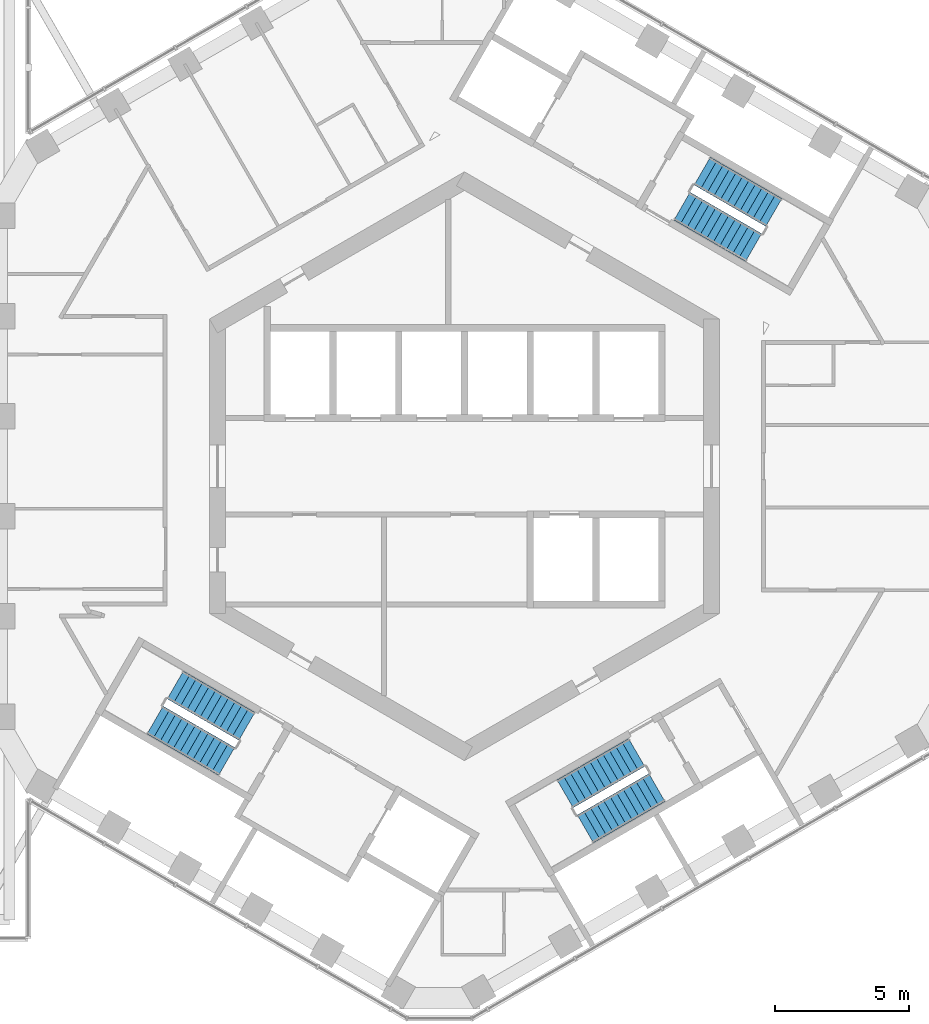
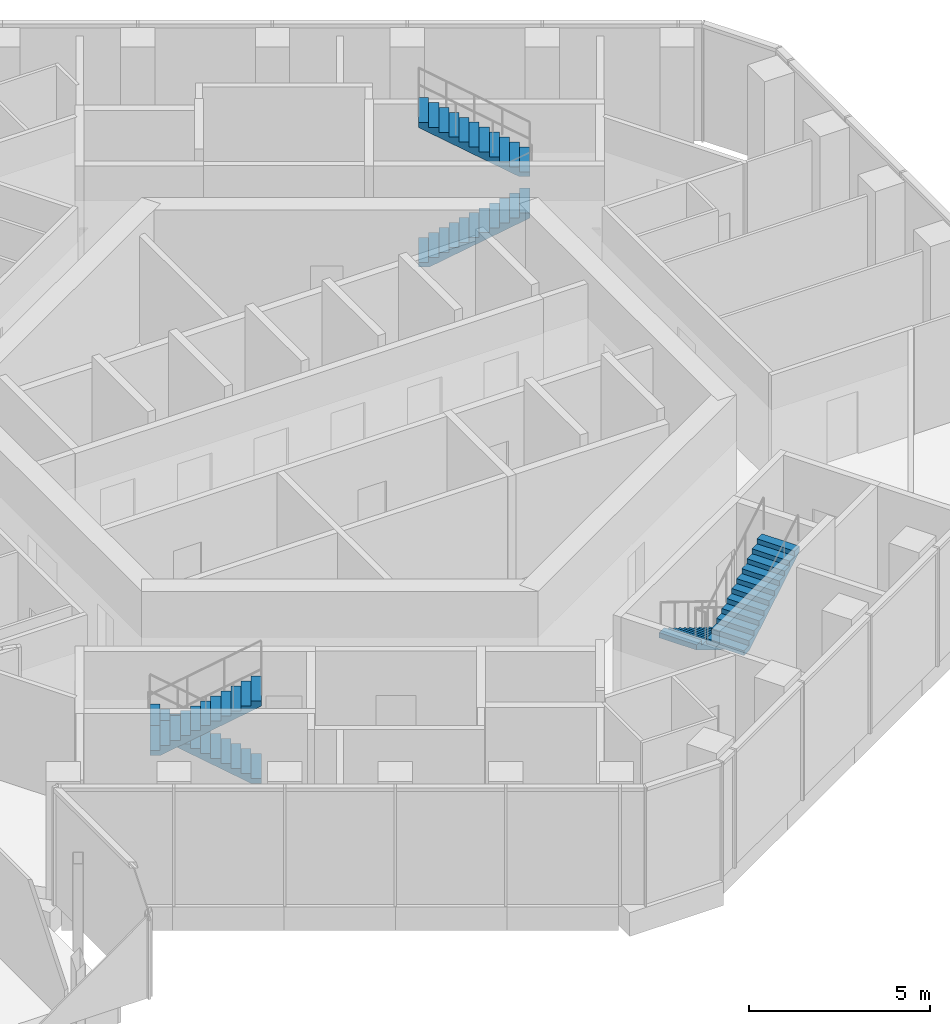
# One storey, part 19 of 21: 6 stair flights, 3 elements without a shape of their own.
"""IFC4 building model written with IfcOpenShell, lengths in metres."""

from ifc_helpers import new_model, si_unit, direction, frame, origin, place, context, subcontext, project, spatial, triangles, material, type_object, element, aggregate, save


model = new_model("IFC4")

# Units and contexts
model_context = context("Model", 3, precision=1e-05, world=origin(), true_north=direction((0.0, 1.0)))
body_context = subcontext(model_context, "Body", "Model", "MODEL_VIEW")
ifc_project = project(units=[si_unit("LENGTHUNIT", "METRE"), si_unit("AREAUNIT", "SQUARE_METRE"), si_unit("VOLUMEUNIT", "CUBIC_METRE"), si_unit("PLANEANGLEUNIT", "RADIAN"), si_unit("MASSUNIT", "GRAM", prefix="KILO")], contexts=[model_context])

# Site, building, storey
site_placement = place(None, origin())
site = spatial("IfcSite", under=ifc_project, at=site_placement, CompositionType="ELEMENT")
building_placement = place(site_placement, origin())
building = spatial("IfcBuilding", under=site, at=building_placement, Name="Ayvan Gate Tower", CompositionType="ELEMENT")
storey_placement = place(building_placement, frame((0.0, 0.0, 206.10009765625)))
storey = spatial("IfcBuildingStorey", under=building, at=storey_placement, Name="L55", CompositionType="ELEMENT", Elevation=206.10009765625)

# Stair, stair flights
ifc_material = material(Name="Concrete C40/50", Category="concrete")
stair_type = type_object("IfcStairType", Name="ST-EXIT", PredefinedType="HALF_TURN_STAIR", material=ifc_material)
stair_1_placement = place(storey_placement, origin())
stair_1 = element("IfcStair", 1, at=stair_1_placement, inside=storey, type_object=stair_type, Name="L55 Exit Stair S1", PredefinedType="HALF_TURN_STAIR")
stair_flight_type = type_object("IfcStairFlightType", Name="SFL-EXIT", PredefinedType="STRAIGHT", material=ifc_material)
stair_flight_1_placement = place(storey_placement, frame((8.106201171875, 9.690185546875, 0.0), z_axis=(0.0, 0.0, 1.0), x_axis=(0.866025403784, -0.5, 0.0)))
stair_flight_1 = element("IfcStairFlight", 2, at=stair_flight_1_placement, type_object=stair_flight_type, Name="STS1 flight 1", NumberOfRisers=12, NumberOfTreads=11, PredefinedType="STRAIGHT", RiserHeight=0.166666667, TreadLength=0.28, context=body_context, shape_type="Tessellation", body=[
    triangles([(0.293073, -0.599976, 0.0), (3.0805, -0.599976, 1.659182), (3.0805, -0.599976, 1.833333), (2.8, -0.599976, 1.833333), (2.8, -0.599976, 1.666667), (2.52, -0.599976, 1.666667), (2.52, -0.599976, 1.5), (2.24, -0.599976, 1.5), (2.24, -0.599976, 1.333333), (1.96, -0.599976, 1.333333), (1.96, -0.599976, 1.166667), (1.68, -0.599976, 1.166667), (1.68, -0.599976, 1.0), (1.4, -0.599976, 1.0), (1.4, -0.599976, 0.833333), (1.12, -0.599976, 0.833333), (1.12, -0.599976, 0.666667), (0.84, -0.599976, 0.666667), (0.84, -0.599976, 0.5), (0.56, -0.599976, 0.5), (0.56, -0.599976, 0.333333), (0.28, -0.599976, 0.333333), (0.28, -0.599976, 0.166667), (-0.0005, -0.599976, 0.166667), (-0.0005, -0.599976, 0.0), (0.293073, 0.0, 0.0), (3.0805, 0.0, 1.659182), (3.0805, 0.0, 1.833333), (2.8, 0.0, 1.833333), (2.8, 0.0, 1.666667), (2.52, 0.0, 1.666667), (2.52, 0.0, 1.5), (2.24, 0.0, 1.5), (2.24, 0.0, 1.333333), (1.96, 0.0, 1.333333), (1.96, 0.0, 1.166667), (1.68, 0.0, 1.166667), (1.68, 0.0, 1.0), (1.4, 0.0, 1.0), (1.4, 0.0, 0.833333), (1.12, 0.0, 0.833333), (1.12, 0.0, 0.666667), (0.84, 0.0, 0.666667), (0.84, 0.0, 0.5), (0.56, 0.0, 0.5), (0.56, 0.0, 0.333333), (0.28, 0.0, 0.333333), (0.28, 0.0, 0.166667), (-0.0005, 0.0, 0.166667), (-0.0005, 0.0, 0.0), (0.293073, 0.599976, 0.0), (3.0805, 0.599976, 1.659182), (3.0805, 0.599976, 1.833333), (2.8, 0.599976, 1.833333), (2.8, 0.599976, 1.666667), (2.52, 0.599976, 1.666667), (2.52, 0.599976, 1.5), (2.24, 0.599976, 1.5), (2.24, 0.599976, 1.333333), (1.96, 0.599976, 1.333333), (1.96, 0.599976, 1.166667), (1.68, 0.599976, 1.166667), (1.68, 0.599976, 1.0), (1.4, 0.599976, 1.0), (1.4, 0.599976, 0.833333), (1.12, 0.599976, 0.833333), (1.12, 0.599976, 0.666667), (0.84, 0.599976, 0.666667), (0.84, 0.599976, 0.5), (0.56, 0.599976, 0.5), (0.56, 0.599976, 0.333333), (0.28, 0.599976, 0.333333), (0.28, 0.599976, 0.166667), (-0.0005, 0.599976, 0.166667), (-0.0005, 0.599976, 0.0)], [[25, 1, 2], [75, 52, 51], [2, 3, 4], [52, 54, 53], [2, 4, 5], [52, 55, 54], [2, 5, 6], [52, 56, 55], [2, 6, 7], [52, 57, 56], [7, 8, 9], [57, 59, 58], [2, 7, 9], [52, 59, 57], [9, 10, 11], [59, 61, 60], [2, 9, 11], [52, 61, 59], [11, 12, 13], [61, 63, 62], [2, 11, 13], [52, 63, 61], [13, 14, 15], [63, 65, 64], [2, 13, 15], [52, 65, 63], [15, 16, 17], [65, 67, 66], [2, 15, 17], [52, 67, 65], [17, 18, 19], [67, 69, 68], [2, 17, 19], [52, 69, 67], [19, 20, 21], [69, 71, 70], [2, 19, 21], [52, 71, 69], [21, 22, 23], [71, 73, 72], [2, 21, 23], [52, 73, 71], [25, 2, 23], [75, 73, 52], [23, 24, 25], [73, 75, 74], [1, 26, 27], [1, 27, 2], [51, 27, 26], [51, 52, 27], [2, 27, 28], [2, 28, 3], [52, 28, 27], [52, 53, 28], [3, 28, 29], [3, 29, 4], [53, 29, 28], [53, 54, 29], [4, 29, 30], [4, 30, 5], [54, 30, 29], [54, 55, 30], [5, 30, 31], [5, 31, 6], [55, 31, 30], [55, 56, 31], [6, 31, 32], [6, 32, 7], [56, 32, 31], [56, 57, 32], [7, 32, 33], [7, 33, 8], [57, 33, 32], [57, 58, 33], [8, 33, 34], [8, 34, 9], [58, 34, 33], [58, 59, 34], [9, 34, 35], [9, 35, 10], [59, 35, 34], [59, 60, 35], [10, 35, 36], [10, 36, 11], [60, 36, 35], [60, 61, 36], [11, 36, 37], [11, 37, 12], [61, 37, 36], [61, 62, 37], [12, 37, 38], [12, 38, 13], [62, 38, 37], [62, 63, 38], [13, 38, 39], [13, 39, 14], [63, 39, 38], [63, 64, 39], [14, 39, 40], [14, 40, 15], [64, 40, 39], [64, 65, 40], [15, 40, 41], [15, 41, 16], [65, 41, 40], [65, 66, 41], [16, 41, 42], [16, 42, 17], [66, 42, 41], [66, 67, 42], [17, 42, 43], [17, 43, 18], [67, 43, 42], [67, 68, 43], [18, 43, 44], [18, 44, 19], [68, 44, 43], [68, 69, 44], [19, 44, 45], [19, 45, 20], [69, 45, 44], [69, 70, 45], [20, 45, 46], [20, 46, 21], [70, 46, 45], [70, 71, 46], [21, 46, 47], [21, 47, 22], [71, 47, 46], [71, 72, 47], [22, 47, 48], [22, 48, 23], [72, 48, 47], [72, 73, 48], [23, 48, 49], [23, 49, 24], [73, 49, 48], [73, 74, 49], [24, 49, 50], [24, 50, 25], [74, 50, 49], [74, 75, 50], [25, 50, 26], [25, 26, 1], [75, 26, 50], [75, 51, 26]], closed=True),
])
stair_flight_2_placement = place(storey_placement, frame((11.528564453125, 9.457763671875, 2.0), z_axis=(0.0, 0.0, 1.0), x_axis=(-0.866025403784, 0.5, 0.0)))
stair_flight_2 = element("IfcStairFlight", 3, at=stair_flight_2_placement, type_object=stair_flight_type, Name="STS1 flight 2", NumberOfRisers=12, NumberOfTreads=11, PredefinedType="STRAIGHT", RiserHeight=0.166666667, TreadLength=0.28, context=body_context, shape_type="Tessellation", body=[
    triangles([(0.293073, -0.599976, 0.0), (3.0805, -0.599976, 1.659182), (3.0805, -0.599976, 1.833333), (2.8, -0.599976, 1.833333), (2.8, -0.599976, 1.666667), (2.52, -0.599976, 1.666667), (2.52, -0.599976, 1.5), (2.24, -0.599976, 1.5), (2.24, -0.599976, 1.333333), (1.96, -0.599976, 1.333333), (1.96, -0.599976, 1.166667), (1.68, -0.599976, 1.166667), (1.68, -0.599976, 1.0), (1.4, -0.599976, 1.0), (1.4, -0.599976, 0.833333), (1.12, -0.599976, 0.833333), (1.12, -0.599976, 0.666667), (0.84, -0.599976, 0.666667), (0.84, -0.599976, 0.5), (0.56, -0.599976, 0.5), (0.56, -0.599976, 0.333333), (0.28, -0.599976, 0.333333), (0.28, -0.599976, 0.166667), (-0.0005, -0.599976, 0.166667), (-0.0005, -0.599976, 0.0), (0.293073, 0.0, 0.0), (3.0805, 0.0, 1.659182), (3.0805, 0.0, 1.833333), (2.8, 0.0, 1.833333), (2.8, 0.0, 1.666667), (2.52, 0.0, 1.666667), (2.52, 0.0, 1.5), (2.24, 0.0, 1.5), (2.24, 0.0, 1.333333), (1.96, 0.0, 1.333333), (1.96, 0.0, 1.166667), (1.68, 0.0, 1.166667), (1.68, 0.0, 1.0), (1.4, 0.0, 1.0), (1.4, 0.0, 0.833333), (1.12, 0.0, 0.833333), (1.12, 0.0, 0.666667), (0.84, 0.0, 0.666667), (0.84, 0.0, 0.5), (0.56, 0.0, 0.5), (0.56, 0.0, 0.333333), (0.28, 0.0, 0.333333), (0.28, 0.0, 0.166667), (-0.0005, 0.0, 0.166667), (-0.0005, 0.0, 0.0), (0.293073, 0.599976, 0.0), (3.0805, 0.599976, 1.659182), (3.0805, 0.599976, 1.833333), (2.8, 0.599976, 1.833333), (2.8, 0.599976, 1.666667), (2.52, 0.599976, 1.666667), (2.52, 0.599976, 1.5), (2.24, 0.599976, 1.5), (2.24, 0.599976, 1.333333), (1.96, 0.599976, 1.333333), (1.96, 0.599976, 1.166667), (1.68, 0.599976, 1.166667), (1.68, 0.599976, 1.0), (1.4, 0.599976, 1.0), (1.4, 0.599976, 0.833333), (1.12, 0.599976, 0.833333), (1.12, 0.599976, 0.666667), (0.84, 0.599976, 0.666667), (0.84, 0.599976, 0.5), (0.56, 0.599976, 0.5), (0.56, 0.599976, 0.333333), (0.28, 0.599976, 0.333333), (0.28, 0.599976, 0.166667), (-0.0005, 0.599976, 0.166667), (-0.0005, 0.599976, 0.0)], [[25, 1, 2], [75, 52, 51], [2, 3, 4], [52, 54, 53], [2, 4, 5], [52, 55, 54], [2, 5, 6], [52, 56, 55], [2, 6, 7], [52, 57, 56], [7, 8, 9], [57, 59, 58], [2, 7, 9], [52, 59, 57], [9, 10, 11], [59, 61, 60], [2, 9, 11], [52, 61, 59], [11, 12, 13], [61, 63, 62], [2, 11, 13], [52, 63, 61], [13, 14, 15], [63, 65, 64], [2, 13, 15], [52, 65, 63], [15, 16, 17], [65, 67, 66], [2, 15, 17], [52, 67, 65], [17, 18, 19], [67, 69, 68], [2, 17, 19], [52, 69, 67], [19, 20, 21], [69, 71, 70], [2, 19, 21], [52, 71, 69], [21, 22, 23], [71, 73, 72], [2, 21, 23], [52, 73, 71], [25, 2, 23], [75, 73, 52], [23, 24, 25], [73, 75, 74], [1, 26, 27], [1, 27, 2], [51, 27, 26], [51, 52, 27], [2, 27, 28], [2, 28, 3], [52, 28, 27], [52, 53, 28], [3, 28, 29], [3, 29, 4], [53, 29, 28], [53, 54, 29], [4, 29, 30], [4, 30, 5], [54, 30, 29], [54, 55, 30], [5, 30, 31], [5, 31, 6], [55, 31, 30], [55, 56, 31], [6, 31, 32], [6, 32, 7], [56, 32, 31], [56, 57, 32], [7, 32, 33], [7, 33, 8], [57, 33, 32], [57, 58, 33], [8, 33, 34], [8, 34, 9], [58, 34, 33], [58, 59, 34], [9, 34, 35], [9, 35, 10], [59, 35, 34], [59, 60, 35], [10, 35, 36], [10, 36, 11], [60, 36, 35], [60, 61, 36], [11, 36, 37], [11, 37, 12], [61, 37, 36], [61, 62, 37], [12, 37, 38], [12, 38, 13], [62, 38, 37], [62, 63, 38], [13, 38, 39], [13, 39, 14], [63, 39, 38], [63, 64, 39], [14, 39, 40], [14, 40, 15], [64, 40, 39], [64, 65, 40], [15, 40, 41], [15, 41, 16], [65, 41, 40], [65, 66, 41], [16, 41, 42], [16, 42, 17], [66, 42, 41], [66, 67, 42], [17, 42, 43], [17, 43, 18], [67, 43, 42], [67, 68, 43], [18, 43, 44], [18, 44, 19], [68, 44, 43], [68, 69, 44], [19, 44, 45], [19, 45, 20], [69, 45, 44], [69, 70, 45], [20, 45, 46], [20, 46, 21], [70, 46, 45], [70, 71, 46], [21, 46, 47], [21, 47, 22], [71, 47, 46], [71, 72, 47], [22, 47, 48], [22, 48, 23], [72, 48, 47], [72, 73, 48], [23, 48, 49], [23, 49, 24], [73, 49, 48], [73, 74, 49], [24, 49, 50], [24, 50, 25], [74, 50, 49], [74, 75, 50], [25, 50, 26], [25, 26, 1], [75, 26, 50], [75, 51, 26]], closed=True),
])
aggregate(stair_1, [stair_flight_1, stair_flight_2])

stair_2_placement = place(storey_placement, origin())
stair_2 = element("IfcStair", 4, at=stair_2_placement, inside=storey, type_object=stair_type, Name="L55 Exit Stair S2", PredefinedType="HALF_TURN_STAIR")
stair_flight_3_placement = place(storey_placement, frame((-8.106201171875, -9.690185546875, 0.0), z_axis=(0.0, 0.0, 1.0), x_axis=(-0.866025403784, 0.5, 0.0)))
stair_flight_3 = element("IfcStairFlight", 5, at=stair_flight_3_placement, type_object=stair_flight_type, Name="STS2 flight 1", NumberOfRisers=12, NumberOfTreads=11, PredefinedType="STRAIGHT", RiserHeight=0.166666667, TreadLength=0.28, context=body_context, shape_type="Tessellation", body=[
    triangles([(0.293073, -0.599976, 0.0), (3.0805, -0.599976, 1.659182), (3.0805, -0.599976, 1.833333), (2.8, -0.599976, 1.833333), (2.8, -0.599976, 1.666667), (2.52, -0.599976, 1.666667), (2.52, -0.599976, 1.5), (2.24, -0.599976, 1.5), (2.24, -0.599976, 1.333333), (1.96, -0.599976, 1.333333), (1.96, -0.599976, 1.166667), (1.68, -0.599976, 1.166667), (1.68, -0.599976, 1.0), (1.4, -0.599976, 1.0), (1.4, -0.599976, 0.833333), (1.12, -0.599976, 0.833333), (1.12, -0.599976, 0.666667), (0.84, -0.599976, 0.666667), (0.84, -0.599976, 0.5), (0.56, -0.599976, 0.5), (0.56, -0.599976, 0.333333), (0.28, -0.599976, 0.333333), (0.28, -0.599976, 0.166667), (-0.0005, -0.599976, 0.166667), (-0.0005, -0.599976, 0.0), (0.293073, 0.0, 0.0), (3.0805, 0.0, 1.659182), (3.0805, 0.0, 1.833333), (2.8, 0.0, 1.833333), (2.8, 0.0, 1.666667), (2.52, 0.0, 1.666667), (2.52, 0.0, 1.5), (2.24, 0.0, 1.5), (2.24, 0.0, 1.333333), (1.96, 0.0, 1.333333), (1.96, 0.0, 1.166667), (1.68, 0.0, 1.166667), (1.68, 0.0, 1.0), (1.4, 0.0, 1.0), (1.4, 0.0, 0.833333), (1.12, 0.0, 0.833333), (1.12, 0.0, 0.666667), (0.84, 0.0, 0.666667), (0.84, 0.0, 0.5), (0.56, 0.0, 0.5), (0.56, 0.0, 0.333333), (0.28, 0.0, 0.333333), (0.28, 0.0, 0.166667), (-0.0005, 0.0, 0.166667), (-0.0005, 0.0, 0.0), (0.293073, 0.599976, 0.0), (3.0805, 0.599976, 1.659182), (3.0805, 0.599976, 1.833333), (2.8, 0.599976, 1.833333), (2.8, 0.599976, 1.666667), (2.52, 0.599976, 1.666667), (2.52, 0.599976, 1.5), (2.24, 0.599976, 1.5), (2.24, 0.599976, 1.333333), (1.96, 0.599976, 1.333333), (1.96, 0.599976, 1.166667), (1.68, 0.599976, 1.166667), (1.68, 0.599976, 1.0), (1.4, 0.599976, 1.0), (1.4, 0.599976, 0.833333), (1.12, 0.599976, 0.833333), (1.12, 0.599976, 0.666667), (0.84, 0.599976, 0.666667), (0.84, 0.599976, 0.5), (0.56, 0.599976, 0.5), (0.56, 0.599976, 0.333333), (0.28, 0.599976, 0.333333), (0.28, 0.599976, 0.166667), (-0.0005, 0.599976, 0.166667), (-0.0005, 0.599976, 0.0)], [[25, 1, 2], [75, 52, 51], [2, 3, 4], [52, 54, 53], [2, 4, 5], [52, 55, 54], [2, 5, 6], [52, 56, 55], [2, 6, 7], [52, 57, 56], [7, 8, 9], [57, 59, 58], [2, 7, 9], [52, 59, 57], [9, 10, 11], [59, 61, 60], [2, 9, 11], [52, 61, 59], [11, 12, 13], [61, 63, 62], [2, 11, 13], [52, 63, 61], [13, 14, 15], [63, 65, 64], [2, 13, 15], [52, 65, 63], [15, 16, 17], [65, 67, 66], [2, 15, 17], [52, 67, 65], [17, 18, 19], [67, 69, 68], [2, 17, 19], [52, 69, 67], [19, 20, 21], [69, 71, 70], [2, 19, 21], [52, 71, 69], [21, 22, 23], [71, 73, 72], [2, 21, 23], [52, 73, 71], [25, 2, 23], [75, 73, 52], [23, 24, 25], [73, 75, 74], [1, 26, 27], [1, 27, 2], [51, 27, 26], [51, 52, 27], [2, 27, 28], [2, 28, 3], [52, 28, 27], [52, 53, 28], [3, 28, 29], [3, 29, 4], [53, 29, 28], [53, 54, 29], [4, 29, 30], [4, 30, 5], [54, 30, 29], [54, 55, 30], [5, 30, 31], [5, 31, 6], [55, 31, 30], [55, 56, 31], [6, 31, 32], [6, 32, 7], [56, 32, 31], [56, 57, 32], [7, 32, 33], [7, 33, 8], [57, 33, 32], [57, 58, 33], [8, 33, 34], [8, 34, 9], [58, 34, 33], [58, 59, 34], [9, 34, 35], [9, 35, 10], [59, 35, 34], [59, 60, 35], [10, 35, 36], [10, 36, 11], [60, 36, 35], [60, 61, 36], [11, 36, 37], [11, 37, 12], [61, 37, 36], [61, 62, 37], [12, 37, 38], [12, 38, 13], [62, 38, 37], [62, 63, 38], [13, 38, 39], [13, 39, 14], [63, 39, 38], [63, 64, 39], [14, 39, 40], [14, 40, 15], [64, 40, 39], [64, 65, 40], [15, 40, 41], [15, 41, 16], [65, 41, 40], [65, 66, 41], [16, 41, 42], [16, 42, 17], [66, 42, 41], [66, 67, 42], [17, 42, 43], [17, 43, 18], [67, 43, 42], [67, 68, 43], [18, 43, 44], [18, 44, 19], [68, 44, 43], [68, 69, 44], [19, 44, 45], [19, 45, 20], [69, 45, 44], [69, 70, 45], [20, 45, 46], [20, 46, 21], [70, 46, 45], [70, 71, 46], [21, 46, 47], [21, 47, 22], [71, 47, 46], [71, 72, 47], [22, 47, 48], [22, 48, 23], [72, 48, 47], [72, 73, 48], [23, 48, 49], [23, 49, 24], [73, 49, 48], [73, 74, 49], [24, 49, 50], [24, 50, 25], [74, 50, 49], [74, 75, 50], [25, 50, 26], [25, 26, 1], [75, 26, 50], [75, 51, 26]], closed=True),
])
stair_flight_4_placement = place(storey_placement, frame((-11.528564453125, -9.457763671875, 2.0), z_axis=(0.0, 0.0, 1.0), x_axis=(0.866025403784, -0.5, 0.0)))
stair_flight_4 = element("IfcStairFlight", 6, at=stair_flight_4_placement, type_object=stair_flight_type, Name="STS2 flight 2", NumberOfRisers=12, NumberOfTreads=11, PredefinedType="STRAIGHT", RiserHeight=0.166666667, TreadLength=0.28, context=body_context, shape_type="Tessellation", body=[
    triangles([(0.293073, -0.599976, 0.0), (3.0805, -0.599976, 1.659182), (3.0805, -0.599976, 1.833333), (2.8, -0.599976, 1.833333), (2.8, -0.599976, 1.666667), (2.52, -0.599976, 1.666667), (2.52, -0.599976, 1.5), (2.24, -0.599976, 1.5), (2.24, -0.599976, 1.333333), (1.96, -0.599976, 1.333333), (1.96, -0.599976, 1.166667), (1.68, -0.599976, 1.166667), (1.68, -0.599976, 1.0), (1.4, -0.599976, 1.0), (1.4, -0.599976, 0.833333), (1.12, -0.599976, 0.833333), (1.12, -0.599976, 0.666667), (0.84, -0.599976, 0.666667), (0.84, -0.599976, 0.5), (0.56, -0.599976, 0.5), (0.56, -0.599976, 0.333333), (0.28, -0.599976, 0.333333), (0.28, -0.599976, 0.166667), (-0.0005, -0.599976, 0.166667), (-0.0005, -0.599976, 0.0), (0.293073, 0.0, 0.0), (3.0805, 0.0, 1.659182), (3.0805, 0.0, 1.833333), (2.8, 0.0, 1.833333), (2.8, 0.0, 1.666667), (2.52, 0.0, 1.666667), (2.52, 0.0, 1.5), (2.24, 0.0, 1.5), (2.24, 0.0, 1.333333), (1.96, 0.0, 1.333333), (1.96, 0.0, 1.166667), (1.68, 0.0, 1.166667), (1.68, 0.0, 1.0), (1.4, 0.0, 1.0), (1.4, 0.0, 0.833333), (1.12, 0.0, 0.833333), (1.12, 0.0, 0.666667), (0.84, 0.0, 0.666667), (0.84, 0.0, 0.5), (0.56, 0.0, 0.5), (0.56, 0.0, 0.333333), (0.28, 0.0, 0.333333), (0.28, 0.0, 0.166667), (-0.0005, 0.0, 0.166667), (-0.0005, 0.0, 0.0), (0.293073, 0.599976, 0.0), (3.0805, 0.599976, 1.659182), (3.0805, 0.599976, 1.833333), (2.8, 0.599976, 1.833333), (2.8, 0.599976, 1.666667), (2.52, 0.599976, 1.666667), (2.52, 0.599976, 1.5), (2.24, 0.599976, 1.5), (2.24, 0.599976, 1.333333), (1.96, 0.599976, 1.333333), (1.96, 0.599976, 1.166667), (1.68, 0.599976, 1.166667), (1.68, 0.599976, 1.0), (1.4, 0.599976, 1.0), (1.4, 0.599976, 0.833333), (1.12, 0.599976, 0.833333), (1.12, 0.599976, 0.666667), (0.84, 0.599976, 0.666667), (0.84, 0.599976, 0.5), (0.56, 0.599976, 0.5), (0.56, 0.599976, 0.333333), (0.28, 0.599976, 0.333333), (0.28, 0.599976, 0.166667), (-0.0005, 0.599976, 0.166667), (-0.0005, 0.599976, 0.0)], [[25, 1, 2], [75, 52, 51], [2, 3, 4], [52, 54, 53], [2, 4, 5], [52, 55, 54], [2, 5, 6], [52, 56, 55], [2, 6, 7], [52, 57, 56], [7, 8, 9], [57, 59, 58], [2, 7, 9], [52, 59, 57], [9, 10, 11], [59, 61, 60], [2, 9, 11], [52, 61, 59], [11, 12, 13], [61, 63, 62], [2, 11, 13], [52, 63, 61], [13, 14, 15], [63, 65, 64], [2, 13, 15], [52, 65, 63], [15, 16, 17], [65, 67, 66], [2, 15, 17], [52, 67, 65], [17, 18, 19], [67, 69, 68], [2, 17, 19], [52, 69, 67], [19, 20, 21], [69, 71, 70], [2, 19, 21], [52, 71, 69], [21, 22, 23], [71, 73, 72], [2, 21, 23], [52, 73, 71], [25, 2, 23], [75, 73, 52], [23, 24, 25], [73, 75, 74], [1, 26, 27], [1, 27, 2], [51, 27, 26], [51, 52, 27], [2, 27, 28], [2, 28, 3], [52, 28, 27], [52, 53, 28], [3, 28, 29], [3, 29, 4], [53, 29, 28], [53, 54, 29], [4, 29, 30], [4, 30, 5], [54, 30, 29], [54, 55, 30], [5, 30, 31], [5, 31, 6], [55, 31, 30], [55, 56, 31], [6, 31, 32], [6, 32, 7], [56, 32, 31], [56, 57, 32], [7, 32, 33], [7, 33, 8], [57, 33, 32], [57, 58, 33], [8, 33, 34], [8, 34, 9], [58, 34, 33], [58, 59, 34], [9, 34, 35], [9, 35, 10], [59, 35, 34], [59, 60, 35], [10, 35, 36], [10, 36, 11], [60, 36, 35], [60, 61, 36], [11, 36, 37], [11, 37, 12], [61, 37, 36], [61, 62, 37], [12, 37, 38], [12, 38, 13], [62, 38, 37], [62, 63, 38], [13, 38, 39], [13, 39, 14], [63, 39, 38], [63, 64, 39], [14, 39, 40], [14, 40, 15], [64, 40, 39], [64, 65, 40], [15, 40, 41], [15, 41, 16], [65, 41, 40], [65, 66, 41], [16, 41, 42], [16, 42, 17], [66, 42, 41], [66, 67, 42], [17, 42, 43], [17, 43, 18], [67, 43, 42], [67, 68, 43], [18, 43, 44], [18, 44, 19], [68, 44, 43], [68, 69, 44], [19, 44, 45], [19, 45, 20], [69, 45, 44], [69, 70, 45], [20, 45, 46], [20, 46, 21], [70, 46, 45], [70, 71, 46], [21, 46, 47], [21, 47, 22], [71, 47, 46], [71, 72, 47], [22, 47, 48], [22, 48, 23], [72, 48, 47], [72, 73, 48], [23, 48, 49], [23, 49, 24], [73, 49, 48], [73, 74, 49], [24, 49, 50], [24, 50, 25], [74, 50, 49], [74, 75, 50], [25, 50, 26], [25, 26, 1], [75, 26, 50], [75, 51, 26]], closed=True),
])
aggregate(stair_2, [stair_flight_3, stair_flight_4])

stair_3_placement = place(storey_placement, origin())
stair_3 = element("IfcStair", 7, at=stair_3_placement, inside=storey, type_object=stair_type, Name="L55 Exit Stair S3", PredefinedType="HALF_TURN_STAIR")
stair_flight_5_placement = place(storey_placement, frame((6.417236328125, -10.665283203125, 0.0), z_axis=(0.0, 0.0, 1.0), x_axis=(-0.866025403784, -0.5, 0.0)))
stair_flight_5 = element("IfcStairFlight", 8, at=stair_flight_5_placement, type_object=stair_flight_type, Name="STS3 flight 1", NumberOfRisers=12, NumberOfTreads=11, PredefinedType="STRAIGHT", RiserHeight=0.166666667, TreadLength=0.28, context=body_context, shape_type="Tessellation", body=[
    triangles([(0.293073, -0.599976, 0.0), (3.0805, -0.599976, 1.659182), (3.0805, -0.599976, 1.833333), (2.8, -0.599976, 1.833333), (2.8, -0.599976, 1.666667), (2.52, -0.599976, 1.666667), (2.52, -0.599976, 1.5), (2.24, -0.599976, 1.5), (2.24, -0.599976, 1.333333), (1.96, -0.599976, 1.333333), (1.96, -0.599976, 1.166667), (1.68, -0.599976, 1.166667), (1.68, -0.599976, 1.0), (1.4, -0.599976, 1.0), (1.4, -0.599976, 0.833333), (1.12, -0.599976, 0.833333), (1.12, -0.599976, 0.666667), (0.84, -0.599976, 0.666667), (0.84, -0.599976, 0.5), (0.56, -0.599976, 0.5), (0.56, -0.599976, 0.333333), (0.28, -0.599976, 0.333333), (0.28, -0.599976, 0.166667), (-0.0005, -0.599976, 0.166667), (-0.0005, -0.599976, 0.0), (0.293073, 0.0, 0.0), (3.0805, 0.0, 1.659182), (3.0805, 0.0, 1.833333), (2.8, 0.0, 1.833333), (2.8, 0.0, 1.666667), (2.52, 0.0, 1.666667), (2.52, 0.0, 1.5), (2.24, 0.0, 1.5), (2.24, 0.0, 1.333333), (1.96, 0.0, 1.333333), (1.96, 0.0, 1.166667), (1.68, 0.0, 1.166667), (1.68, 0.0, 1.0), (1.4, 0.0, 1.0), (1.4, 0.0, 0.833333), (1.12, 0.0, 0.833333), (1.12, 0.0, 0.666667), (0.84, 0.0, 0.666667), (0.84, 0.0, 0.5), (0.56, 0.0, 0.5), (0.56, 0.0, 0.333333), (0.28, 0.0, 0.333333), (0.28, 0.0, 0.166667), (-0.0005, 0.0, 0.166667), (-0.0005, 0.0, 0.0), (0.293073, 0.599976, 0.0), (3.0805, 0.599976, 1.659182), (3.0805, 0.599976, 1.833333), (2.8, 0.599976, 1.833333), (2.8, 0.599976, 1.666667), (2.52, 0.599976, 1.666667), (2.52, 0.599976, 1.5), (2.24, 0.599976, 1.5), (2.24, 0.599976, 1.333333), (1.96, 0.599976, 1.333333), (1.96, 0.599976, 1.166667), (1.68, 0.599976, 1.166667), (1.68, 0.599976, 1.0), (1.4, 0.599976, 1.0), (1.4, 0.599976, 0.833333), (1.12, 0.599976, 0.833333), (1.12, 0.599976, 0.666667), (0.84, 0.599976, 0.666667), (0.84, 0.599976, 0.5), (0.56, 0.599976, 0.5), (0.56, 0.599976, 0.333333), (0.28, 0.599976, 0.333333), (0.28, 0.599976, 0.166667), (-0.0005, 0.599976, 0.166667), (-0.0005, 0.599976, 0.0)], [[25, 1, 2], [75, 52, 51], [2, 3, 4], [52, 54, 53], [2, 4, 5], [52, 55, 54], [2, 5, 6], [52, 56, 55], [2, 6, 7], [52, 57, 56], [7, 8, 9], [57, 59, 58], [2, 7, 9], [52, 59, 57], [9, 10, 11], [59, 61, 60], [2, 9, 11], [52, 61, 59], [11, 12, 13], [61, 63, 62], [2, 11, 13], [52, 63, 61], [13, 14, 15], [63, 65, 64], [2, 13, 15], [52, 65, 63], [15, 16, 17], [65, 67, 66], [2, 15, 17], [52, 67, 65], [17, 18, 19], [67, 69, 68], [2, 17, 19], [52, 69, 67], [19, 20, 21], [69, 71, 70], [2, 19, 21], [52, 71, 69], [21, 22, 23], [71, 73, 72], [2, 21, 23], [52, 73, 71], [25, 2, 23], [75, 73, 52], [23, 24, 25], [73, 75, 74], [1, 26, 27], [1, 27, 2], [51, 27, 26], [51, 52, 27], [2, 27, 28], [2, 28, 3], [52, 28, 27], [52, 53, 28], [3, 28, 29], [3, 29, 4], [53, 29, 28], [53, 54, 29], [4, 29, 30], [4, 30, 5], [54, 30, 29], [54, 55, 30], [5, 30, 31], [5, 31, 6], [55, 31, 30], [55, 56, 31], [6, 31, 32], [6, 32, 7], [56, 32, 31], [56, 57, 32], [7, 32, 33], [7, 33, 8], [57, 33, 32], [57, 58, 33], [8, 33, 34], [8, 34, 9], [58, 34, 33], [58, 59, 34], [9, 34, 35], [9, 35, 10], [59, 35, 34], [59, 60, 35], [10, 35, 36], [10, 36, 11], [60, 36, 35], [60, 61, 36], [11, 36, 37], [11, 37, 12], [61, 37, 36], [61, 62, 37], [12, 37, 38], [12, 38, 13], [62, 38, 37], [62, 63, 38], [13, 38, 39], [13, 39, 14], [63, 39, 38], [63, 64, 39], [14, 39, 40], [14, 40, 15], [64, 40, 39], [64, 65, 40], [15, 40, 41], [15, 41, 16], [65, 41, 40], [65, 66, 41], [16, 41, 42], [16, 42, 17], [66, 42, 41], [66, 67, 42], [17, 42, 43], [17, 43, 18], [67, 43, 42], [67, 68, 43], [18, 43, 44], [18, 44, 19], [68, 44, 43], [68, 69, 44], [19, 44, 45], [19, 45, 20], [69, 45, 44], [69, 70, 45], [20, 45, 46], [20, 46, 21], [70, 46, 45], [70, 71, 46], [21, 46, 47], [21, 47, 22], [71, 47, 46], [71, 72, 47], [22, 47, 48], [22, 48, 23], [72, 48, 47], [72, 73, 48], [23, 48, 49], [23, 49, 24], [73, 49, 48], [73, 74, 49], [24, 49, 50], [24, 50, 25], [74, 50, 49], [74, 75, 50], [25, 50, 26], [25, 26, 1], [75, 26, 50], [75, 51, 26]], closed=True),
])
stair_flight_6_placement = place(storey_placement, frame((4.5048828125, -13.512939453125, 2.0), z_axis=(0.0, 0.0, 1.0), x_axis=(0.866025403784, 0.5, 0.0)))
stair_flight_6 = element("IfcStairFlight", 9, at=stair_flight_6_placement, type_object=stair_flight_type, Name="STS3 flight 2", NumberOfRisers=12, NumberOfTreads=11, PredefinedType="STRAIGHT", RiserHeight=0.166666667, TreadLength=0.28, context=body_context, shape_type="Tessellation", body=[
    triangles([(0.293073, -0.599976, 0.0), (3.0805, -0.599976, 1.659182), (3.0805, -0.599976, 1.833333), (2.8, -0.599976, 1.833333), (2.8, -0.599976, 1.666667), (2.52, -0.599976, 1.666667), (2.52, -0.599976, 1.5), (2.24, -0.599976, 1.5), (2.24, -0.599976, 1.333333), (1.96, -0.599976, 1.333333), (1.96, -0.599976, 1.166667), (1.68, -0.599976, 1.166667), (1.68, -0.599976, 1.0), (1.4, -0.599976, 1.0), (1.4, -0.599976, 0.833333), (1.12, -0.599976, 0.833333), (1.12, -0.599976, 0.666667), (0.84, -0.599976, 0.666667), (0.84, -0.599976, 0.5), (0.56, -0.599976, 0.5), (0.56, -0.599976, 0.333333), (0.28, -0.599976, 0.333333), (0.28, -0.599976, 0.166667), (-0.0005, -0.599976, 0.166667), (-0.0005, -0.599976, 0.0), (0.293073, 0.0, 0.0), (3.0805, 0.0, 1.659182), (3.0805, 0.0, 1.833333), (2.8, 0.0, 1.833333), (2.8, 0.0, 1.666667), (2.52, 0.0, 1.666667), (2.52, 0.0, 1.5), (2.24, 0.0, 1.5), (2.24, 0.0, 1.333333), (1.96, 0.0, 1.333333), (1.96, 0.0, 1.166667), (1.68, 0.0, 1.166667), (1.68, 0.0, 1.0), (1.4, 0.0, 1.0), (1.4, 0.0, 0.833333), (1.12, 0.0, 0.833333), (1.12, 0.0, 0.666667), (0.84, 0.0, 0.666667), (0.84, 0.0, 0.5), (0.56, 0.0, 0.5), (0.56, 0.0, 0.333333), (0.28, 0.0, 0.333333), (0.28, 0.0, 0.166667), (-0.0005, 0.0, 0.166667), (-0.0005, 0.0, 0.0), (0.293073, 0.599976, 0.0), (3.0805, 0.599976, 1.659182), (3.0805, 0.599976, 1.833333), (2.8, 0.599976, 1.833333), (2.8, 0.599976, 1.666667), (2.52, 0.599976, 1.666667), (2.52, 0.599976, 1.5), (2.24, 0.599976, 1.5), (2.24, 0.599976, 1.333333), (1.96, 0.599976, 1.333333), (1.96, 0.599976, 1.166667), (1.68, 0.599976, 1.166667), (1.68, 0.599976, 1.0), (1.4, 0.599976, 1.0), (1.4, 0.599976, 0.833333), (1.12, 0.599976, 0.833333), (1.12, 0.599976, 0.666667), (0.84, 0.599976, 0.666667), (0.84, 0.599976, 0.5), (0.56, 0.599976, 0.5), (0.56, 0.599976, 0.333333), (0.28, 0.599976, 0.333333), (0.28, 0.599976, 0.166667), (-0.0005, 0.599976, 0.166667), (-0.0005, 0.599976, 0.0)], [[25, 1, 2], [75, 52, 51], [2, 3, 4], [52, 54, 53], [2, 4, 5], [52, 55, 54], [2, 5, 6], [52, 56, 55], [2, 6, 7], [52, 57, 56], [7, 8, 9], [57, 59, 58], [2, 7, 9], [52, 59, 57], [9, 10, 11], [59, 61, 60], [2, 9, 11], [52, 61, 59], [11, 12, 13], [61, 63, 62], [2, 11, 13], [52, 63, 61], [13, 14, 15], [63, 65, 64], [2, 13, 15], [52, 65, 63], [15, 16, 17], [65, 67, 66], [2, 15, 17], [52, 67, 65], [17, 18, 19], [67, 69, 68], [2, 17, 19], [52, 69, 67], [19, 20, 21], [69, 71, 70], [2, 19, 21], [52, 71, 69], [21, 22, 23], [71, 73, 72], [2, 21, 23], [52, 73, 71], [25, 2, 23], [75, 73, 52], [23, 24, 25], [73, 75, 74], [1, 26, 27], [1, 27, 2], [51, 27, 26], [51, 52, 27], [2, 27, 28], [2, 28, 3], [52, 28, 27], [52, 53, 28], [3, 28, 29], [3, 29, 4], [53, 29, 28], [53, 54, 29], [4, 29, 30], [4, 30, 5], [54, 30, 29], [54, 55, 30], [5, 30, 31], [5, 31, 6], [55, 31, 30], [55, 56, 31], [6, 31, 32], [6, 32, 7], [56, 32, 31], [56, 57, 32], [7, 32, 33], [7, 33, 8], [57, 33, 32], [57, 58, 33], [8, 33, 34], [8, 34, 9], [58, 34, 33], [58, 59, 34], [9, 34, 35], [9, 35, 10], [59, 35, 34], [59, 60, 35], [10, 35, 36], [10, 36, 11], [60, 36, 35], [60, 61, 36], [11, 36, 37], [11, 37, 12], [61, 37, 36], [61, 62, 37], [12, 37, 38], [12, 38, 13], [62, 38, 37], [62, 63, 38], [13, 38, 39], [13, 39, 14], [63, 39, 38], [63, 64, 39], [14, 39, 40], [14, 40, 15], [64, 40, 39], [64, 65, 40], [15, 40, 41], [15, 41, 16], [65, 41, 40], [65, 66, 41], [16, 41, 42], [16, 42, 17], [66, 42, 41], [66, 67, 42], [17, 42, 43], [17, 43, 18], [67, 43, 42], [67, 68, 43], [18, 43, 44], [18, 44, 19], [68, 44, 43], [68, 69, 44], [19, 44, 45], [19, 45, 20], [69, 45, 44], [69, 70, 45], [20, 45, 46], [20, 46, 21], [70, 46, 45], [70, 71, 46], [21, 46, 47], [21, 47, 22], [71, 47, 46], [71, 72, 47], [22, 47, 48], [22, 48, 23], [72, 48, 47], [72, 73, 48], [23, 48, 49], [23, 49, 24], [73, 49, 48], [73, 74, 49], [24, 49, 50], [24, 50, 25], [74, 50, 49], [74, 75, 50], [25, 50, 26], [25, 26, 1], [75, 26, 50], [75, 51, 26]], closed=True),
])
aggregate(stair_3, [stair_flight_5, stair_flight_6])

save(model, "model.ifc")
